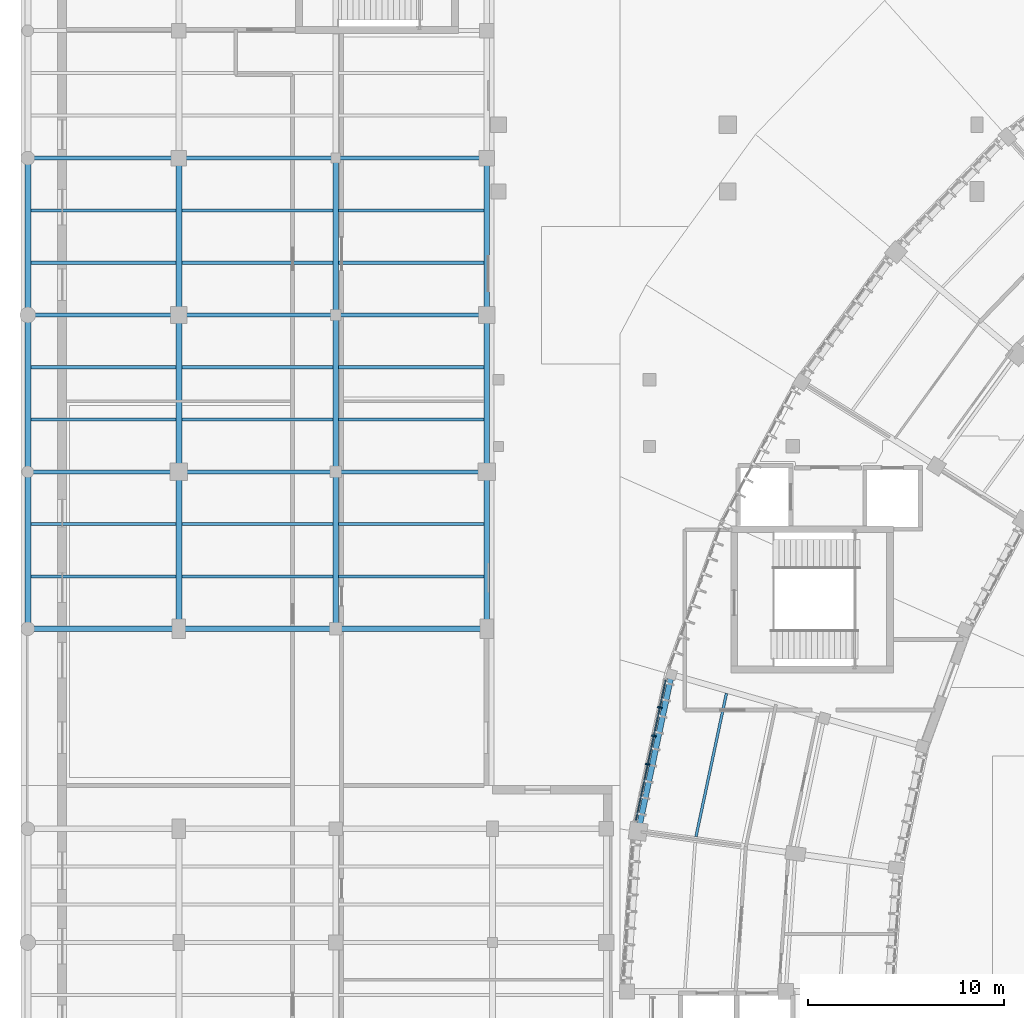
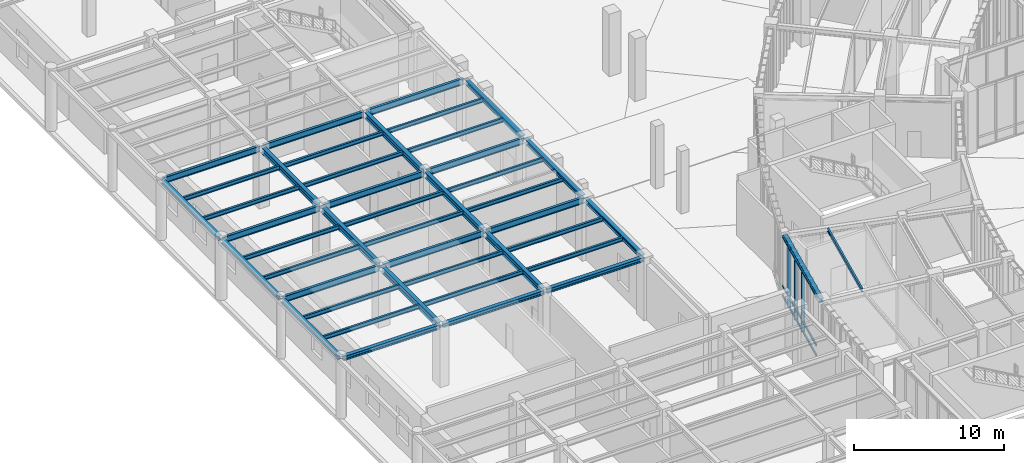
# One storey, part 6 of 68: 44 beams, 6 members, 1 element without a shape of its own.
"""IFC4 building model written with IfcOpenShell, lengths in metres."""

from ifc_helpers import new_model, si_unit, direction, frame, origin, origin_2d, place, context, subcontext, project, spatial, rectangle, i_section, extrude, material, layer, layer_set, material_profile, profile_set, type_object, element, aggregate, save


model = new_model("IFC4")

# Units and contexts
model_context = context("Model", 3, precision=1e-05, world=origin(), true_north=direction((0.0, 1.0)))
body_context = subcontext(model_context, "Body", "Model", "MODEL_VIEW")
ifc_project = project(units=[si_unit("LENGTHUNIT", "METRE"), si_unit("AREAUNIT", "SQUARE_METRE"), si_unit("VOLUMEUNIT", "CUBIC_METRE"), si_unit("PLANEANGLEUNIT", "RADIAN"), si_unit("MASSUNIT", "GRAM", prefix="KILO"), si_unit("THERMODYNAMICTEMPERATUREUNIT", "KELVIN"), si_unit("POWERUNIT", "WATT")], contexts=[model_context])

# Site, building, storey
site_placement = place(None, origin())
site = spatial("IfcSite", under=ifc_project, at=site_placement, CompositionType="ELEMENT")
building_placement = place(site_placement, origin())
building = spatial("IfcBuilding", under=site, at=building_placement, Name="Solvatero Civic Police Headquarters", CompositionType="ELEMENT")
storey_placement = place(building_placement, origin())
storey = spatial("IfcBuildingStorey", under=building, at=storey_placement, Name="L00", CompositionType="ELEMENT", Elevation=0.0)

# Beams
ifc_material_1 = material(Name="Steel S355", Category="steel")
ifc_material_profile_1 = material_profile(ifc_material_1, i_section(OverallWidth=0.300048828125, OverallDepth=0.31005859375, WebThickness=0.009033203125, FlangeThickness=0.015380859375, FilletRadius=0.027099609375, at=origin_2d()), Name="HEA 320")
ifc_profile_set_1 = profile_set([ifc_material_profile_1], Name="Steel S355")
beam_type_1 = type_object("IfcBeamType", Name="BM-ST-HEA320", PredefinedType="SPANDREL", material=ifc_profile_set_1)
beam_1_placement = place(storey_placement, frame((37.601318359375, 42.068359375, 4.72509765625), z_axis=(-0.207912160321, -0.978147500938, 0.0), x_axis=(0.978147500938, -0.207912160321, 0.0)))
element("IfcBeam", 1, at=beam_1_placement, inside=storey, type_object=beam_type_1, Name="Perimeter / radial spandrel beam BM-R2-L00-ARC-COUT-B11", PredefinedType="SPANDREL", context=body_context, shape_type="SweptSolid", body=[
    extrude(i_section(OverallWidth=0.300048828125, OverallDepth=0.31005859375, WebThickness=0.009033203125, FlangeThickness=0.015380859375, FilletRadius=0.027099609375, at=origin_2d()), origin(), (0.0, 0.0, 1.0), 7.982666015625),
])
ifc_material_profile_2 = material_profile(ifc_material_1, i_section(OverallWidth=0.300048828125, OverallDepth=0.35009765625, WebThickness=0.010009765625, FlangeThickness=0.017578125, FilletRadius=0.027099609375, at=origin_2d()), Name="HEA 360")
ifc_profile_set_2 = profile_set([ifc_material_profile_2], Name="Steel S355")
beam_type_2 = type_object("IfcBeamType", Name="BM-ST-HEA360", PredefinedType="SPANDREL", material=ifc_profile_set_2)
beam_2_placement = place(storey_placement, frame((4.89990234375, 44.5, 4.705078125), z_axis=(1.0, 0.0, 0.0), x_axis=(0.0, 1.0, 0.0)))
element("IfcBeam", 2, at=beam_2_placement, inside=storey, type_object=beam_type_2, Name="Perimeter / radial spandrel beam BM-R2-L00-V6-GX-1-1", PredefinedType="SPANDREL", context=body_context, shape_type="SweptSolid", body=[
    extrude(i_section(OverallWidth=0.300048828125, OverallDepth=0.35009765625, WebThickness=0.010009765625, FlangeThickness=0.017578125, FilletRadius=0.027099609375, at=origin_2d()), origin(), (0.0, 0.0, 1.0), 7.5),
])
beam_3_placement = place(storey_placement, frame((12.60009765625, 44.5, 4.705078125), z_axis=(1.0, 0.0, 0.0), x_axis=(0.0, 1.0, 0.0)))
element("IfcBeam", 3, at=beam_3_placement, inside=storey, type_object=beam_type_2, Name="Perimeter / radial spandrel beam BM-R2-L00-V6-GX-2-1", PredefinedType="SPANDREL", context=body_context, shape_type="SweptSolid", body=[
    extrude(i_section(OverallWidth=0.300048828125, OverallDepth=0.35009765625, WebThickness=0.010009765625, FlangeThickness=0.017578125, FilletRadius=0.027099609375, at=origin_2d()), origin(), (0.0, 0.0, 1.0), 7.7998046875),
])
beam_4_placement = place(storey_placement, frame((20.60009765625, 44.5, 4.705078125), z_axis=(1.0, 0.0, 0.0), x_axis=(0.0, 1.0, 0.0)))
element("IfcBeam", 4, at=beam_4_placement, inside=storey, type_object=beam_type_2, Name="Perimeter / radial spandrel beam BM-R2-L00-V6-GX-3-1", PredefinedType="SPANDREL", context=body_context, shape_type="SweptSolid", body=[
    extrude(i_section(OverallWidth=0.300048828125, OverallDepth=0.35009765625, WebThickness=0.010009765625, FlangeThickness=0.017578125, FilletRadius=0.027099609375, at=origin_2d()), origin(), (0.0, 0.0, 1.0), 7.5),
])
for number, where, z_axis, x_axis, name in (
    (5, (4.800048828125, 44.659912109375, 4.705078125), (0.0, 1.0, 0.0), (-1.0, 0.0, 0.0), "Perimeter / radial spandrel beam BM-R2-L00-V6-GY-1-1"),
    (6, (4.800048828125, 52.659912109375, 4.705078125), (0.0, 1.0, 0.0), (-1.0, 0.0, 0.0), "Perimeter / radial spandrel beam BM-R2-L00-V6-GY-1-2"),
    (7, (4.800048828125, 60.659912109375, 4.705078125), (0.0, 1.0, 0.0), (-1.0, 0.0, 0.0), "Perimeter / radial spandrel beam BM-R2-L00-V6-GY-1-3"),
    (8, (28.199951171875, 44.659912109375, 4.705078125), (0.0, 1.0, 0.0), (-1.0, 0.0, 0.0), "Perimeter / radial spandrel beam BM-R2-L00-V6-GY-4-1"),
    (9, (28.199951171875, 52.659912109375, 4.705078125), (0.0, 1.0, 0.0), (-1.0, 0.0, 0.0), "Perimeter / radial spandrel beam BM-R2-L00-V6-GY-4-2"),
    (10, (28.199951171875, 60.659912109375, 4.705078125), (0.0, 1.0, 0.0), (-1.0, 0.0, 0.0), "Perimeter / radial spandrel beam BM-R2-L00-V6-GY-4-3"),
):
    element("IfcBeam", number, at=place(storey_placement, frame(where, z_axis=z_axis, x_axis=x_axis)), inside=storey, type_object=beam_type_2, Name=name, PredefinedType="SPANDREL", context=body_context, shape_type="SweptSolid", body=[
        extrude(i_section(OverallWidth=0.300048828125, OverallDepth=0.35009765625, WebThickness=0.010009765625, FlangeThickness=0.017578125, FilletRadius=0.027099609375, at=origin_2d()), origin(), (0.0, 0.0, 1.0), 7.68017578125),
    ])
ifc_material_profile_3 = material_profile(ifc_material_1, i_section(OverallWidth=0.300048828125, OverallDepth=0.489990234375, WebThickness=0.011962890625, FlangeThickness=0.02294921875, FilletRadius=0.027099609375, at=origin_2d()), Name="HEA 500")
ifc_profile_set_3 = profile_set([ifc_material_profile_3], Name="Steel S355")
beam_type_3 = type_object("IfcBeamType", Name="BM-ST-HEA500", PredefinedType="BEAM", material=ifc_profile_set_3)
for number, where, z_axis, x_axis, name in (
    (11, (12.5, 44.659912109375, 4.635009765625), (0.0, 1.0, 0.0), (-1.0, 0.0, 0.0), "Primary girder BM-R2-L00-V6-GY-2-1"),
    (12, (12.5, 52.659912109375, 4.635009765625), (0.0, 1.0, 0.0), (-1.0, 0.0, 0.0), "Primary girder BM-R2-L00-V6-GY-2-2"),
    (13, (12.5, 60.659912109375, 4.635009765625), (0.0, 1.0, 0.0), (-1.0, 0.0, 0.0), "Primary girder BM-R2-L00-V6-GY-2-3"),
    (14, (20.5, 44.659912109375, 4.635009765625), (0.0, 1.0, 0.0), (-1.0, 0.0, 0.0), "Primary girder BM-R2-L00-V6-GY-3-1"),
    (15, (20.5, 52.659912109375, 4.635009765625), (0.0, 1.0, 0.0), (-1.0, 0.0, 0.0), "Primary girder BM-R2-L00-V6-GY-3-2"),
    (16, (20.5, 60.659912109375, 4.635009765625), (0.0, 1.0, 0.0), (-1.0, 0.0, 0.0), "Primary girder BM-R2-L00-V6-GY-3-3"),
):
    element("IfcBeam", number, at=place(storey_placement, frame(where, z_axis=z_axis, x_axis=x_axis)), inside=storey, type_object=beam_type_3, Name=name, PredefinedType="BEAM", context=body_context, shape_type="SweptSolid", body=[
        extrude(i_section(OverallWidth=0.300048828125, OverallDepth=0.489990234375, WebThickness=0.011962890625, FlangeThickness=0.02294921875, FilletRadius=0.027099609375, at=origin_2d()), origin(), (0.0, 0.0, 1.0), 7.68017578125),
    ])
ifc_material_profile_4 = material_profile(ifc_material_1, i_section(OverallWidth=0.135009765625, OverallDepth=0.27001953125, WebThickness=0.006591796875, FlangeThickness=0.01025390625, FilletRadius=0.014892578125, at=origin_2d()), Name="IPE 270")
ifc_profile_set_4 = profile_set([ifc_material_profile_4], Name="Steel S355")
beam_type_4 = type_object("IfcBeamType", Name="BM-ST-IPE270", PredefinedType="BEAM", material=ifc_profile_set_4)
beam_5_placement = place(storey_placement, frame((40.426513671875, 41.206298828125, 4.7451171875), z_axis=(-0.207904092949, -0.97814921568, 0.0), x_axis=(0.97814921568, -0.207904092949, 0.0)))
element("IfcBeam", 17, at=beam_5_placement, inside=storey, type_object=beam_type_4, Name="Composite floor beam BM-R2-L00-ARC-CS2-B11", PredefinedType="BEAM", context=body_context, shape_type="SweptSolid", body=[
    extrude(i_section(OverallWidth=0.135009765625, OverallDepth=0.27001953125, WebThickness=0.006591796875, FlangeThickness=0.01025390625, FilletRadius=0.014892578125, at=origin_2d()), origin(), (0.0, 0.0, 1.0), 7.470947265625),
])
ifc_material_profile_5 = material_profile(ifc_material_1, i_section(OverallWidth=0.159912109375, OverallDepth=0.330078125, WebThickness=0.007568359375, FlangeThickness=0.011474609375, FilletRadius=0.01806640625, at=origin_2d()), Name="IPE 330")
ifc_profile_set_5 = profile_set([ifc_material_profile_5], Name="Steel S355")
beam_type_5 = type_object("IfcBeamType", Name="BM-ST-IPE330", PredefinedType="BEAM", material=ifc_profile_set_5)
for number, where, z_axis, x_axis, name in (
    (18, (4.949951171875, 47.166748046875, 4.715087890625), (1.0, 0.0, 0.0), (0.0, 1.0, 0.0), "Composite floor beam BM-R2-L00-V6-SEC-1-1-S1"),
    (19, (4.949951171875, 49.833251953125, 4.715087890625), (1.0, 0.0, 0.0), (0.0, 1.0, 0.0), "Composite floor beam BM-R2-L00-V6-SEC-1-1-S2"),
    (20, (4.949951171875, 55.166748046875, 4.715087890625), (1.0, 0.0, 0.0), (0.0, 1.0, 0.0), "Composite floor beam BM-R2-L00-V6-SEC-1-2-S1"),
    (21, (4.949951171875, 57.833251953125, 4.715087890625), (1.0, 0.0, 0.0), (0.0, 1.0, 0.0), "Composite floor beam BM-R2-L00-V6-SEC-1-2-S2"),
    (22, (4.949951171875, 63.166748046875, 4.715087890625), (1.0, 0.0, 0.0), (0.0, 1.0, 0.0), "Composite floor beam BM-R2-L00-V6-SEC-1-3-S1"),
    (23, (4.949951171875, 65.833251953125, 4.715087890625), (1.0, 0.0, 0.0), (0.0, 1.0, 0.0), "Composite floor beam BM-R2-L00-V6-SEC-1-3-S2"),
):
    element("IfcBeam", number, at=place(storey_placement, frame(where, z_axis=z_axis, x_axis=x_axis)), inside=storey, type_object=beam_type_5, Name=name, PredefinedType="BEAM", context=body_context, shape_type="SweptSolid", body=[
        extrude(i_section(OverallWidth=0.159912109375, OverallDepth=0.330078125, WebThickness=0.007568359375, FlangeThickness=0.011474609375, FilletRadius=0.01806640625, at=origin_2d()), origin(), (0.0, 0.0, 1.0), 7.400146484375),
    ])
for number, where, z_axis, x_axis, name in (
    (24, (12.64990234375, 47.166748046875, 4.715087890625), (1.0, 0.0, 0.0), (0.0, 1.0, 0.0), "Composite floor beam BM-R2-L00-V6-SEC-2-1-S1"),
    (25, (12.64990234375, 49.833251953125, 4.715087890625), (1.0, 0.0, 0.0), (0.0, 1.0, 0.0), "Composite floor beam BM-R2-L00-V6-SEC-2-1-S2"),
    (26, (12.64990234375, 55.166748046875, 4.715087890625), (1.0, 0.0, 0.0), (0.0, 1.0, 0.0), "Composite floor beam BM-R2-L00-V6-SEC-2-2-S1"),
    (27, (12.64990234375, 57.833251953125, 4.715087890625), (1.0, 0.0, 0.0), (0.0, 1.0, 0.0), "Composite floor beam BM-R2-L00-V6-SEC-2-2-S2"),
    (28, (12.64990234375, 63.166748046875, 4.715087890625), (1.0, 0.0, 0.0), (0.0, 1.0, 0.0), "Composite floor beam BM-R2-L00-V6-SEC-2-3-S1"),
    (29, (12.64990234375, 65.833251953125, 4.715087890625), (1.0, 0.0, 0.0), (0.0, 1.0, 0.0), "Composite floor beam BM-R2-L00-V6-SEC-2-3-S2"),
):
    element("IfcBeam", number, at=place(storey_placement, frame(where, z_axis=z_axis, x_axis=x_axis)), inside=storey, type_object=beam_type_5, Name=name, PredefinedType="BEAM", context=body_context, shape_type="SweptSolid", body=[
        extrude(i_section(OverallWidth=0.159912109375, OverallDepth=0.330078125, WebThickness=0.007568359375, FlangeThickness=0.011474609375, FilletRadius=0.01806640625, at=origin_2d()), origin(), (0.0, 0.0, 1.0), 7.7001953125),
    ])
for number, where, z_axis, x_axis, name in (
    (30, (20.64990234375, 47.166748046875, 4.715087890625), (1.0, 0.0, 0.0), (0.0, 1.0, 0.0), "Composite floor beam BM-R2-L00-V6-SEC-3-1-S1"),
    (31, (20.64990234375, 49.833251953125, 4.715087890625), (1.0, 0.0, 0.0), (0.0, 1.0, 0.0), "Composite floor beam BM-R2-L00-V6-SEC-3-1-S2"),
    (32, (20.64990234375, 55.166748046875, 4.715087890625), (1.0, 0.0, 0.0), (0.0, 1.0, 0.0), "Composite floor beam BM-R2-L00-V6-SEC-3-2-S1"),
    (33, (20.64990234375, 57.833251953125, 4.715087890625), (1.0, 0.0, 0.0), (0.0, 1.0, 0.0), "Composite floor beam BM-R2-L00-V6-SEC-3-2-S2"),
    (34, (20.64990234375, 63.166748046875, 4.715087890625), (1.0, 0.0, 0.0), (0.0, 1.0, 0.0), "Composite floor beam BM-R2-L00-V6-SEC-3-3-S1"),
    (35, (20.64990234375, 65.833251953125, 4.715087890625), (1.0, 0.0, 0.0), (0.0, 1.0, 0.0), "Composite floor beam BM-R2-L00-V6-SEC-3-3-S2"),
):
    element("IfcBeam", number, at=place(storey_placement, frame(where, z_axis=z_axis, x_axis=x_axis)), inside=storey, type_object=beam_type_5, Name=name, PredefinedType="BEAM", context=body_context, shape_type="SweptSolid", body=[
        extrude(i_section(OverallWidth=0.159912109375, OverallDepth=0.330078125, WebThickness=0.007568359375, FlangeThickness=0.011474609375, FilletRadius=0.01806640625, at=origin_2d()), origin(), (0.0, 0.0, 1.0), 7.400146484375),
    ])
ifc_material_profile_6 = material_profile(ifc_material_1, i_section(OverallWidth=0.199951171875, OverallDepth=0.5, WebThickness=0.01025390625, FlangeThickness=0.01611328125, FilletRadius=0.02099609375, at=origin_2d()), Name="IPE 500")
ifc_profile_set_6 = profile_set([ifc_material_profile_6], Name="Steel S355")
beam_type_6 = type_object("IfcBeamType", Name="BM-ST-IPE500", PredefinedType="BEAM", material=ifc_profile_set_6)
beam_6_placement = place(storey_placement, frame((4.89990234375, 52.5, 4.6298828125), z_axis=(1.0, 0.0, 0.0), x_axis=(0.0, 1.0, 0.0)))
element("IfcBeam", 36, at=beam_6_placement, inside=storey, type_object=beam_type_6, Name="Primary girder BM-R2-L00-V6-GX-1-2", PredefinedType="BEAM", context=body_context, shape_type="SweptSolid", body=[
    extrude(i_section(OverallWidth=0.199951171875, OverallDepth=0.5, WebThickness=0.01025390625, FlangeThickness=0.01611328125, FilletRadius=0.02099609375, at=origin_2d()), origin(), (0.0, 0.0, 1.0), 7.5),
])
beam_7_placement = place(storey_placement, frame((12.60009765625, 52.5, 4.6298828125), z_axis=(1.0, 0.0, 0.0), x_axis=(0.0, 1.0, 0.0)))
element("IfcBeam", 37, at=beam_7_placement, inside=storey, type_object=beam_type_6, Name="Primary girder BM-R2-L00-V6-GX-2-2", PredefinedType="BEAM", context=body_context, shape_type="SweptSolid", body=[
    extrude(i_section(OverallWidth=0.199951171875, OverallDepth=0.5, WebThickness=0.01025390625, FlangeThickness=0.01611328125, FilletRadius=0.02099609375, at=origin_2d()), origin(), (0.0, 0.0, 1.0), 7.7998046875),
])
for number, where, z_axis, x_axis, name in (
    (38, (20.60009765625, 52.5, 4.6298828125), (1.0, 0.0, 0.0), (0.0, 1.0, 0.0), "Primary girder BM-R2-L00-V6-GX-3-2"),
    (39, (4.89990234375, 60.5, 4.6298828125), (1.0, 0.0, 0.0), (0.0, 1.0, 0.0), "Primary girder BM-R2-L00-V6-GX-1-3"),
):
    element("IfcBeam", number, at=place(storey_placement, frame(where, z_axis=z_axis, x_axis=x_axis)), inside=storey, type_object=beam_type_6, Name=name, PredefinedType="BEAM", context=body_context, shape_type="SweptSolid", body=[
        extrude(i_section(OverallWidth=0.199951171875, OverallDepth=0.5, WebThickness=0.01025390625, FlangeThickness=0.01611328125, FilletRadius=0.02099609375, at=origin_2d()), origin(), (0.0, 0.0, 1.0), 7.5),
    ])
beam_8_placement = place(storey_placement, frame((12.60009765625, 60.5, 4.6298828125), z_axis=(1.0, 0.0, 0.0), x_axis=(0.0, 1.0, 0.0)))
element("IfcBeam", 40, at=beam_8_placement, inside=storey, type_object=beam_type_6, Name="Primary girder BM-R2-L00-V6-GX-2-3", PredefinedType="BEAM", context=body_context, shape_type="SweptSolid", body=[
    extrude(i_section(OverallWidth=0.199951171875, OverallDepth=0.5, WebThickness=0.01025390625, FlangeThickness=0.01611328125, FilletRadius=0.02099609375, at=origin_2d()), origin(), (0.0, 0.0, 1.0), 7.7998046875),
])
for number, where, z_axis, x_axis, name in (
    (41, (20.60009765625, 60.5, 4.6298828125), (1.0, 0.0, 0.0), (0.0, 1.0, 0.0), "Primary girder BM-R2-L00-V6-GX-3-3"),
    (42, (4.89990234375, 68.5, 4.6298828125), (1.0, 0.0, 0.0), (0.0, 1.0, 0.0), "Primary girder BM-R2-L00-V6-GX-1-4"),
):
    element("IfcBeam", number, at=place(storey_placement, frame(where, z_axis=z_axis, x_axis=x_axis)), inside=storey, type_object=beam_type_6, Name=name, PredefinedType="BEAM", context=body_context, shape_type="SweptSolid", body=[
        extrude(i_section(OverallWidth=0.199951171875, OverallDepth=0.5, WebThickness=0.01025390625, FlangeThickness=0.01611328125, FilletRadius=0.02099609375, at=origin_2d()), origin(), (0.0, 0.0, 1.0), 7.5),
    ])
beam_9_placement = place(storey_placement, frame((12.60009765625, 68.5, 4.6298828125), z_axis=(1.0, 0.0, 0.0), x_axis=(0.0, 1.0, 0.0)))
element("IfcBeam", 43, at=beam_9_placement, inside=storey, type_object=beam_type_6, Name="Primary girder BM-R2-L00-V6-GX-2-4", PredefinedType="BEAM", context=body_context, shape_type="SweptSolid", body=[
    extrude(i_section(OverallWidth=0.199951171875, OverallDepth=0.5, WebThickness=0.01025390625, FlangeThickness=0.01611328125, FilletRadius=0.02099609375, at=origin_2d()), origin(), (0.0, 0.0, 1.0), 7.7998046875),
])
beam_10_placement = place(storey_placement, frame((20.60009765625, 68.5, 4.6298828125), z_axis=(1.0, 0.0, 0.0), x_axis=(0.0, 1.0, 0.0)))
element("IfcBeam", 44, at=beam_10_placement, inside=storey, type_object=beam_type_6, Name="Primary girder BM-R2-L00-V6-GX-3-4", PredefinedType="BEAM", context=body_context, shape_type="SweptSolid", body=[
    extrude(i_section(OverallWidth=0.199951171875, OverallDepth=0.5, WebThickness=0.01025390625, FlangeThickness=0.01611328125, FilletRadius=0.02099609375, at=origin_2d()), origin(), (0.0, 0.0, 1.0), 7.5),
])

# Curtain wall, members
ifc_material_2 = material(Name="Anodized Bronze Aluminium", Category="aluminium")
ifc_layer = layer(ifc_material_2, 0.179931640625)
ifc_layer_set = layer_set([ifc_layer], Name="Anodized Bronze Aluminium")
curtain_wall_type = type_object("IfcCurtainWallType", Name="CW-ARC-OUT", PredefinedType="USERDEFINED", material=ifc_layer_set)
curtain_wall_placement = place(storey_placement, origin())
curtain_wall = element("IfcCurtainWall", 45, at=curtain_wall_placement, inside=storey, type_object=curtain_wall_type, Name="Curtain Wall CW-R2-L00-ARC-OUT-B11", ObjectType="UNITISED", PredefinedType="USERDEFINED")
ifc_material_profile_7 = material_profile(ifc_material_2, rectangle(XDim=0.080078125, YDim=0.239990234375, at=origin_2d()), Name="ALU MULLION 80x240")
ifc_profile_set_7 = profile_set([ifc_material_profile_7], Name="Anodized Bronze Aluminium")
member_type_1 = type_object("IfcMemberType", Name="CWM-140x60", PredefinedType="MULLION", material=ifc_profile_set_7)
member_1_placement = place(storey_placement, frame((37.029541015625, 40.482177734375, 0.0), z_axis=(0.0, 0.0, 1.0), x_axis=(-0.207911690818, -0.978147600734, 0.0)))
member_1 = element("IfcMember", 46, at=member_1_placement, type_object=member_type_1, Name="CW-R2-L00-ARC-OUT-B11 Mullion 2", PredefinedType="MULLION", context=body_context, shape_type="SweptSolid", body=[
    extrude(rectangle(XDim=0.080078125, YDim=0.239990234375, at=origin_2d()), origin(), (0.0, 0.0, 1.0), 4.8798828125),
])
member_2_placement = place(storey_placement, frame((36.7216796875, 39.033935546875, 0.0), z_axis=(0.0, 0.0, 1.0), x_axis=(-0.207911690818, -0.978147600734, 0.0)))
member_2 = element("IfcMember", 47, at=member_2_placement, type_object=member_type_1, Name="CW-R2-L00-ARC-OUT-B11 Mullion 3", PredefinedType="MULLION", context=body_context, shape_type="SweptSolid", body=[
    extrude(rectangle(XDim=0.080078125, YDim=0.239990234375, at=origin_2d()), origin(), (0.0, 0.0, 1.0), 4.8798828125),
])
member_3_placement = place(storey_placement, frame((36.413818359375, 37.585693359375, 0.0), z_axis=(0.0, 0.0, 1.0), x_axis=(-0.207911690818, -0.978147600734, 0.0)))
member_3 = element("IfcMember", 48, at=member_3_placement, type_object=member_type_1, Name="CW-R2-L00-ARC-OUT-B11 Mullion 4", PredefinedType="MULLION", context=body_context, shape_type="SweptSolid", body=[
    extrude(rectangle(XDim=0.080078125, YDim=0.239990234375, at=origin_2d()), origin(), (0.0, 0.0, 1.0), 4.8798828125),
])
ifc_material_profile_8 = material_profile(ifc_material_2, rectangle(XDim=0.06494140625, YDim=0.139892578125, at=origin_2d()), Name="ALU TRANSOM 65x140")
ifc_profile_set_8 = profile_set([ifc_material_profile_8], Name="Anodized Bronze Aluminium")
member_type_2 = type_object("IfcMemberType", Name="CWT-180x70", PredefinedType="USERDEFINED", material=ifc_profile_set_8)
member_4_placement = place(storey_placement, frame((37.326904296875, 41.88134765625, 0.0400390625), z_axis=(-0.207912334346, -0.978147463947, 0.0), x_axis=(0.978147463947, -0.207912334346, 0.0)))
member_4 = element("IfcMember", 49, at=member_4_placement, type_object=member_type_2, Name="CW-R2-L00-ARC-OUT-B11 Transom 1", ObjectType="TRANSOM", PredefinedType="USERDEFINED", context=body_context, shape_type="SweptSolid", body=[
    extrude(rectangle(XDim=0.06494140625, YDim=0.139892578125, at=origin_2d()), origin(), (0.0, 0.0, 1.0), 7.302734375),
])
member_5_placement = place(storey_placement, frame((37.326904296875, 41.88134765625, 0.85009765625), z_axis=(-0.207912334346, -0.978147463947, 0.0), x_axis=(0.978147463947, -0.207912334346, 0.0)))
member_5 = element("IfcMember", 50, at=member_5_placement, type_object=member_type_2, Name="CW-R2-L00-ARC-OUT-B11 Transom 2", ObjectType="TRANSOM", PredefinedType="USERDEFINED", context=body_context, shape_type="SweptSolid", body=[
    extrude(rectangle(XDim=0.06494140625, YDim=0.139892578125, at=origin_2d()), origin(), (0.0, 0.0, 1.0), 7.302734375),
])
member_6_placement = place(storey_placement, frame((37.326904296875, 41.88134765625, 4.840087890625), z_axis=(-0.207912334346, -0.978147463947, 0.0), x_axis=(0.978147463947, -0.207912334346, 0.0)))
member_6 = element("IfcMember", 51, at=member_6_placement, type_object=member_type_2, Name="CW-R2-L00-ARC-OUT-B11 Transom 3", ObjectType="TRANSOM", PredefinedType="USERDEFINED", context=body_context, shape_type="SweptSolid", body=[
    extrude(rectangle(XDim=0.06494140625, YDim=0.139892578125, at=origin_2d()), origin(), (0.0, 0.0, 1.0), 7.302734375),
])
aggregate(curtain_wall, [member_1, member_2, member_3, member_4, member_5, member_6])

save(model, "model.ifc")
